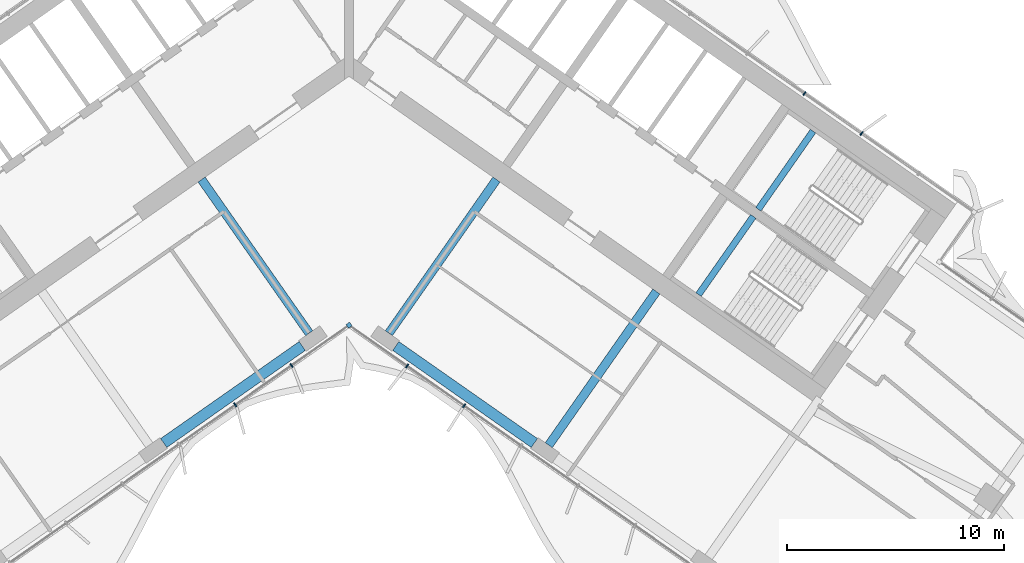
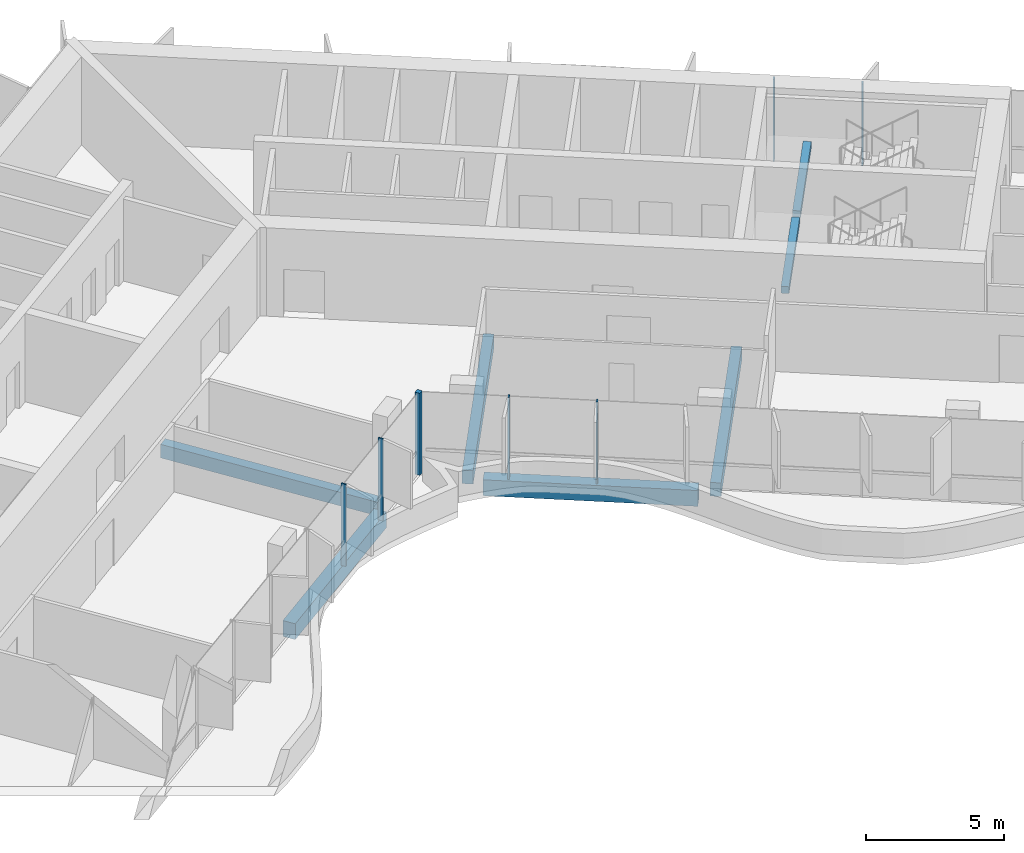
# One storey, part 6 of 21: 7 beams, 7 members, 2 elements without a shape of their own.
"""IFC4 building model written with IfcOpenShell, lengths in metres."""

from ifc_helpers import new_model, si_unit, direction, frame, origin, origin_2d, place, context, subcontext, project, spatial, rectangle, extrude, material, material_profile, profile_set, type_object, element, aggregate, save


model = new_model("IFC4")

# Units and contexts
model_context = context("Model", 3, precision=1e-05, world=origin(), true_north=direction((0.0, 1.0)))
body_context = subcontext(model_context, "Body", "Model", "MODEL_VIEW")
ifc_project = project(units=[si_unit("LENGTHUNIT", "METRE"), si_unit("AREAUNIT", "SQUARE_METRE"), si_unit("VOLUMEUNIT", "CUBIC_METRE"), si_unit("PLANEANGLEUNIT", "RADIAN"), si_unit("MASSUNIT", "GRAM", prefix="KILO")], contexts=[model_context])

# Site, building, storey
site_placement = place(None, origin())
site = spatial("IfcSite", under=ifc_project, at=site_placement, CompositionType="ELEMENT")
building_placement = place(site_placement, origin())
building = spatial("IfcBuilding", under=site, at=building_placement, Name="Tel Ilan Convention Tower", CompositionType="ELEMENT")
storey_placement = place(building_placement, frame((0.0, 0.0, 151.5)))
storey = spatial("IfcBuildingStorey", under=building, at=storey_placement, Name="L34", CompositionType="ELEMENT", Elevation=151.5)

# Beams
ifc_material_1 = material(Name="Concrete C40/50", Category="concrete")
ifc_material_profile_1 = material_profile(ifc_material_1, rectangle(XDim=0.39990234375, YDim=0.60009765625, at=origin_2d()), Name="RC 400x600")
ifc_profile_set_1 = profile_set([ifc_material_profile_1], Name="Concrete C40/50")
beam_type_1 = type_object("IfcBeamType", Name="Beam RC 400x600 Concrete C40/50", PredefinedType="BEAM", material=ifc_profile_set_1)
for number, where, z_axis, x_axis, name in (
    (1, (-1.83740234375, -13.06689453125, -0.580078125), (-0.573574099654, 0.819153680457, 0.0), (-0.819153680457, -0.573574099654, 0.0), "L34 beam W-W-F1-core"),
    (2, (1.83740234375, -13.06689453125, -0.580078125), (0.573574099654, 0.819153680457, 0.0), (-0.819153680457, 0.573574099654, 0.0), "L34 beam E-E-F1-core"),
    (3, (9.209716796875, -18.229248046875, -0.580078125), (0.573574099654, 0.819153680457, 0.0), (-0.819153680457, 0.573574099654, 0.0), "L34 beam E-E-F2-core"),
):
    element("IfcBeam", number, at=place(storey_placement, frame(where, z_axis=z_axis, x_axis=x_axis)), inside=storey, type_object=beam_type_1, Name=name, PredefinedType="BEAM", context=body_context, shape_type="SweptSolid", body=[
        extrude(rectangle(XDim=0.39990234375, YDim=0.60009765625, at=origin_2d()), origin(), (0.0, 0.0, 1.0), 8.64990234375),
    ])
ifc_material_2 = material(Name="Concrete C40/50", Category="concrete")
ifc_material_profile_2 = material_profile(ifc_material_2, rectangle(XDim=0.5, YDim=0.699951171875, at=origin_2d()), Name="RC 500x700")
ifc_profile_set_2 = profile_set([ifc_material_profile_2], Name="Concrete C40/50")
beam_type_2 = type_object("IfcBeamType", Name="Beam RC 500x700 Concrete C40/50", PredefinedType="BEAM", material=ifc_profile_set_2)
for number, where, z_axis, x_axis, name in (
    (4, (-2.15673828125, -13.656982421875, -0.6298828125), (-0.819153977895, -0.573573674866, 0.0), (0.573573674866, -0.819153977895, 0.0), "L34 beam W-W-F1-W-F2"),
    (5, (2.15673828125, -13.656982421875, -0.6298828125), (0.819153977895, -0.573573674866, 0.0), (0.573573674866, 0.819153977895, 0.0), "L34 beam E-E-F1-E-F2"),
):
    element("IfcBeam", number, at=place(storey_placement, frame(where, z_axis=z_axis, x_axis=x_axis)), inside=storey, type_object=beam_type_2, Name=name, PredefinedType="BEAM", context=body_context, shape_type="SweptSolid", body=[
        extrude(rectangle(XDim=0.5, YDim=0.699951171875, at=origin_2d()), origin(), (0.0, 0.0, 1.0), 7.800048828125),
    ])

# Curtain wall, member
ifc_material_3 = material(Name="Aluminium, bronze anodised", Category="aluminium")
curtain_wall_type_1 = type_object("IfcCurtainWallType", Name="CW4 STICK CURTAIN WALL, OFFICE TINTED GLASS", PredefinedType="NOTDEFINED", material=ifc_material_3)
curtain_wall_1_placement = place(storey_placement, origin())
curtain_wall_1 = element("IfcCurtainWall", 6, at=curtain_wall_1_placement, inside=storey, type_object=curtain_wall_type_1, Name="Curtain wall CW4-27.02", PredefinedType="NOTDEFINED")
ifc_material_4 = material(Name="Aluminium, bronze anodised", Category="aluminium")
ifc_material_profile_3 = material_profile(ifc_material_4, rectangle(XDim=0.199951171875, YDim=0.199951171875, at=origin_2d()), Name="CW CORNER MULLION 200x200")
ifc_profile_set_3 = profile_set([ifc_material_profile_3], Name="Aluminium, bronze anodised")
member_type_1 = type_object("IfcMemberType", Name="CW CORNER MULLION 200x200", PredefinedType="MULLION", material=ifc_profile_set_3)
member_1_placement = place(storey_placement, frame((0.0, -12.696044921875, 0.0), z_axis=(0.0, 0.0, 1.0), x_axis=(0.819152044289, 0.573576436351, 0.0)))
member_1 = element("IfcMember", 7, at=member_1_placement, type_object=member_type_1, Name="Corner mullion", PredefinedType="MULLION", context=body_context, shape_type="SweptSolid", body=[
    extrude(rectangle(XDim=0.199951171875, YDim=0.199951171875, at=origin_2d()), origin(), (0.0, 0.0, 1.0), 3.6201171875),
])

# Curtain wall, members
ifc_material_5 = material(Name="Aluminium, bronze anodised", Category="aluminium")
curtain_wall_type_2 = type_object("IfcCurtainWallType", Name="CW2 STICK CURTAIN WALL, SPANDREL PANELS", PredefinedType="NOTDEFINED", material=ifc_material_5)
curtain_wall_2_placement = place(storey_placement, origin())
curtain_wall_2 = element("IfcCurtainWall", 8, at=curtain_wall_2_placement, inside=storey, type_object=curtain_wall_type_2, Name="Curtain wall CW2-27.01", PredefinedType="NOTDEFINED")
ifc_material_6 = material(Name="Aluminium, bronze anodised", Category="aluminium")
ifc_material_profile_4 = material_profile(ifc_material_6, rectangle(XDim=0.06005859375, YDim=0.199951171875, at=origin_2d()), Name="CW MULLION 60x200")
ifc_profile_set_4 = profile_set([ifc_material_profile_4], Name="Aluminium, bronze anodised")
member_type_2 = type_object("IfcMemberType", Name="CW MULLION 60x200", PredefinedType="MULLION", material=ifc_profile_set_4)
member_2_placement = place(storey_placement, frame((23.63623046875, -3.854248046875, 0.0), z_axis=(0.0, 0.0, 1.0), x_axis=(-0.819152044289, 0.573576436351, 0.0)))
member_2 = element("IfcMember", 9, at=member_2_placement, type_object=member_type_2, Name="Mullion", PredefinedType="MULLION", context=body_context, shape_type="SweptSolid", body=[
    extrude(rectangle(XDim=0.06005859375, YDim=0.199951171875, at=origin_2d()), origin(), (0.0, 0.0, 1.0), 3.6201171875),
])
member_3_placement = place(storey_placement, frame((21.003662109375, -2.0107421875, 0.0), z_axis=(0.0, 0.0, 1.0), x_axis=(-0.819152044289, 0.573576436351, 0.0)))
member_3 = element("IfcMember", 10, at=member_3_placement, type_object=member_type_2, Name="Mullion", PredefinedType="MULLION", context=body_context, shape_type="SweptSolid", body=[
    extrude(rectangle(XDim=0.06005859375, YDim=0.199951171875, at=origin_2d()), origin(), (0.0, 0.0, 1.0), 3.6201171875),
])
aggregate(curtain_wall_2, [member_2, member_3])

# Member
member_4_placement = place(storey_placement, frame((-5.24755859375, -16.370361328125, 0.0), z_axis=(0.0, 0.0, 1.0), x_axis=(0.819152044289, 0.573576436351, 0.0)))
member_4 = element("IfcMember", 11, at=member_4_placement, type_object=member_type_2, Name="Mullion", PredefinedType="MULLION", context=body_context, shape_type="SweptSolid", body=[
    extrude(rectangle(XDim=0.06005859375, YDim=0.199951171875, at=origin_2d()), origin(), (0.0, 0.0, 1.0), 3.6201171875),
])

member_5_placement = place(storey_placement, frame((-2.65234375, -14.55322265625, 0.0), z_axis=(0.0, 0.0, 1.0), x_axis=(0.819152044289, 0.573576436351, 0.0)))
member_5 = element("IfcMember", 12, at=member_5_placement, type_object=member_type_2, Name="Mullion", PredefinedType="MULLION", context=body_context, shape_type="SweptSolid", body=[
    extrude(rectangle(XDim=0.06005859375, YDim=0.199951171875, at=origin_2d()), origin(), (0.0, 0.0, 1.0), 3.6201171875),
])

member_6_placement = place(storey_placement, frame((2.6826171875, -14.574462890625, 0.0), z_axis=(0.0, 0.0, 1.0), x_axis=(0.819152044289, -0.573576436351, 0.0)))
member_6 = element("IfcMember", 13, at=member_6_placement, type_object=member_type_2, Name="Mullion", PredefinedType="MULLION", context=body_context, shape_type="SweptSolid", body=[
    extrude(rectangle(XDim=0.06005859375, YDim=0.199951171875, at=origin_2d()), origin(), (0.0, 0.0, 1.0), 3.6201171875),
])

member_7_placement = place(storey_placement, frame((5.307861328125, -16.41259765625, 0.0), z_axis=(0.0, 0.0, 1.0), x_axis=(0.819152044289, -0.573576436351, 0.0)))
member_7 = element("IfcMember", 14, at=member_7_placement, type_object=member_type_2, Name="Mullion", PredefinedType="MULLION", context=body_context, shape_type="SweptSolid", body=[
    extrude(rectangle(XDim=0.06005859375, YDim=0.199951171875, at=origin_2d()), origin(), (0.0, 0.0, 1.0), 3.6201171875),
])

aggregate(curtain_wall_1, [member_4, member_5, member_1, member_6, member_7])

# Beams
ifc_material_7 = material(Name="Concrete C40/50", Category="concrete")
ifc_material_profile_5 = material_profile(ifc_material_7, rectangle(XDim=0.300048828125, YDim=0.300048828125, at=origin_2d()), Name="RC 300x300")
ifc_profile_set_5 = profile_set([ifc_material_profile_5], Name="Concrete C40/50")
beam_type_3 = type_object("IfcBeamType", Name="Landing Beam RC 300x300 Concrete C40/50", PredefinedType="BEAM", material=ifc_profile_set_5)
beam_1_placement = place(storey_placement, frame((21.39404296875, -3.7490234375, 1.60009765625), z_axis=(-0.57354426506, -0.819174569928, 0.0), x_axis=(0.819174569928, -0.57354426506, 0.0)))
element("IfcBeam", 15, at=beam_1_placement, inside=storey, type_object=beam_type_3, Name="S3 landing beam L34.1", PredefinedType="BEAM", context=body_context, shape_type="SweptSolid", body=[
    extrude(rectangle(XDim=0.300048828125, YDim=0.300048828125, at=origin_2d()), origin(), (0.0, 0.0, 1.0), 4.400146484375),
])
beam_2_placement = place(storey_placement, frame((18.640869140625, -7.68115234375, 1.60009765625), z_axis=(-0.573570334442, -0.819156316858, 0.0), x_axis=(0.819156316858, -0.573570334442, 0.0)))
element("IfcBeam", 16, at=beam_2_placement, inside=storey, type_object=beam_type_3, Name="S4 landing beam L34.1", PredefinedType="BEAM", context=body_context, shape_type="SweptSolid", body=[
    extrude(rectangle(XDim=0.300048828125, YDim=0.300048828125, at=origin_2d()), origin(), (0.0, 0.0, 1.0), 4.39990234375),
])

save(model, "model.ifc")
